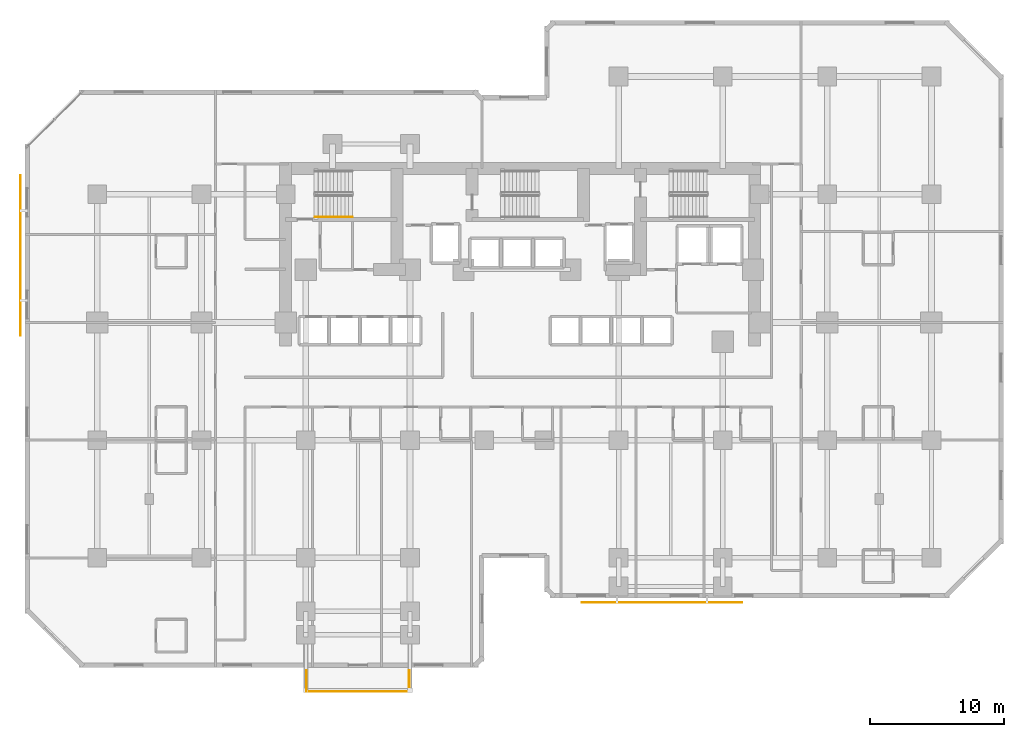
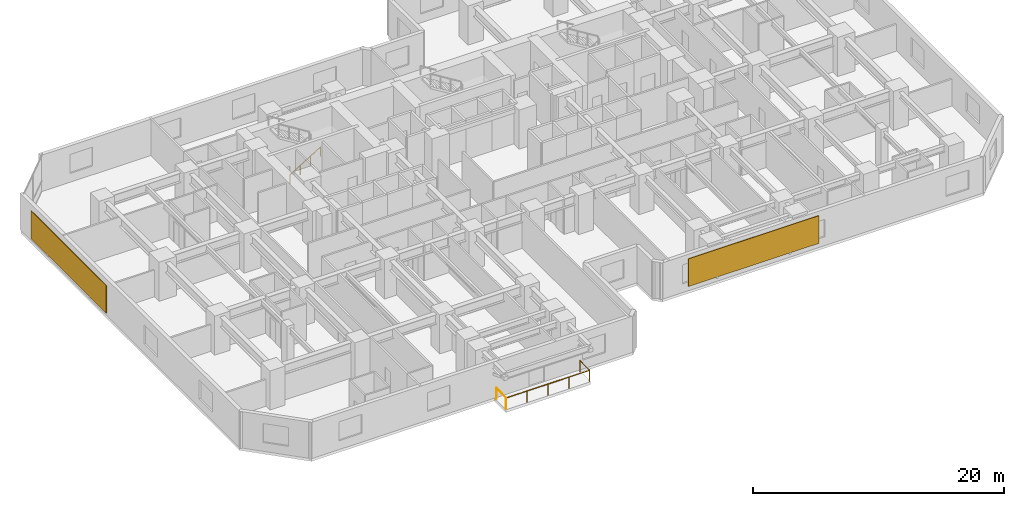
# One storey, part 11 of 12: 3 railings, 2 shading devices.
"""IFC4 building model written with IfcOpenShell, lengths in metres."""

from ifc_helpers import new_model, si_unit, direction, frame, origin, origin_2d, place, context, subcontext, project, spatial, rectangle, circle, extrude, material, layer, layer_set, type_object, element, save


model = new_model("IFC4")

# Units and contexts
model_context = context("Model", 3, precision=1e-05, world=origin(), true_north=direction((0.0, 1.0)))
body_context = subcontext(model_context, "Body", "Model", "MODEL_VIEW")
ifc_project = project(units=[si_unit("LENGTHUNIT", "METRE"), si_unit("AREAUNIT", "SQUARE_METRE"), si_unit("VOLUMEUNIT", "CUBIC_METRE"), si_unit("PLANEANGLEUNIT", "RADIAN"), si_unit("MASSUNIT", "GRAM", prefix="KILO")], contexts=[model_context])

# Site, building, storey
site_placement = place(None, origin())
site = spatial("IfcSite", under=ifc_project, at=site_placement, CompositionType="ELEMENT")
building_placement = place(site_placement, origin())
building = spatial("IfcBuilding", under=site, at=building_placement, Name="Kestravale Grand Hotel", CompositionType="ELEMENT")
storey_placement = place(building_placement, frame((0.0, 0.0, 33.60009765625)))
storey = spatial("IfcBuildingStorey", under=building, at=storey_placement, Name="L07", CompositionType="ELEMENT", Elevation=33.60009765625)

# Railings
ifc_material_1 = material(Name="Champagne-bronze stainless steel and laminated glass guard", Category="steel")
railing_type_1 = type_object("IfcRailingType", Name="RL-EXT-1100", PredefinedType="GUARDRAIL", material=ifc_material_1)
railing_1_placement = place(storey_placement, frame((23.4599609375, 1.2099609375, 0.0)))
element("IfcRailing", 1, at=railing_1_placement, inside=storey, type_object=railing_type_1, Name="L07 outdoor terrace guard 1", PredefinedType="GUARDRAIL", context=body_context, shape_type="SweptSolid", body=[
    extrude(circle(Radius=0.02392578125, at=origin_2d()), frame((0.0, 0.0, 1.09619140625), z_axis=(0.0, 1.0, 0.0), x_axis=(-1.0, 0.0, 0.0)), (0.0, 0.0, 1.0), 1.570068359375),
    extrude(circle(Radius=0.02099609375, at=origin_2d()), origin(), (0.0, 0.0, 1.0), 1.072021484375),
    extrude(circle(Radius=0.02099609375, at=origin_2d()), frame((0.0, 1.570068359375, 0.0)), (0.0, 0.0, 1.0), 1.072021484375),
])
railing_2_placement = place(storey_placement, frame((31.139892578125, 2.780029296875, 0.0)))
element("IfcRailing", 2, at=railing_2_placement, inside=storey, type_object=railing_type_1, Name="L07 outdoor terrace guard 2", PredefinedType="GUARDRAIL", context=body_context, shape_type="SweptSolid", body=[
    extrude(circle(Radius=0.02392578125, at=origin_2d()), frame((0.0, 0.0, 1.09619140625), z_axis=(0.0, -1.0, 0.0), x_axis=(1.0, 0.0, 0.0)), (0.0, 0.0, 1.0), 1.570068359375),
    extrude(circle(Radius=0.02392578125, at=origin_2d()), frame((0.0, -1.570068359375, 1.09619140625), z_axis=(-1.0, 0.0, 0.0), x_axis=(0.0, -1.0, 0.0)), (0.0, 0.0, 1.0), 7.679931640625),
    extrude(circle(Radius=0.02099609375, at=origin_2d()), origin(), (0.0, 0.0, 1.0), 1.072021484375),
    extrude(circle(Radius=0.02099609375, at=origin_2d()), frame((0.0, -1.570068359375, 0.0)), (0.0, 0.0, 1.0), 1.072021484375),
    extrude(circle(Radius=0.02099609375, at=origin_2d()), frame((-1.919921875, -1.570068359375, 0.0)), (0.0, 0.0, 1.0), 1.072021484375),
    extrude(circle(Radius=0.02099609375, at=origin_2d()), frame((-3.83984375, -1.570068359375, 0.0)), (0.0, 0.0, 1.0), 1.072021484375),
    extrude(circle(Radius=0.02099609375, at=origin_2d()), frame((-5.760009765625, -1.570068359375, 0.0)), (0.0, 0.0, 1.0), 1.072021484375),
    extrude(circle(Radius=0.02099609375, at=origin_2d()), frame((-7.679931640625, -1.570068359375, 0.0)), (0.0, 0.0, 1.0), 1.072021484375),
])
ifc_material_2 = material(Name="Brushed stainless steel wall handrail", Category="steel")
railing_type_2 = type_object("IfcRailingType", Name="RL-ST-HND900", PredefinedType="HANDRAIL", material=ifc_material_2)
railing_3_placement = place(storey_placement, frame((24.080078125, 36.699951171875, 0.172607421875)))
element("IfcRailing", 3, at=railing_3_placement, inside=storey, type_object=railing_type_2, Name="L07 ST-1 stair handrail 1", PredefinedType="HANDRAIL", context=body_context, shape_type="SweptSolid", body=[
    extrude(circle(Radius=0.02392578125, at=origin_2d()), frame((0.0, 0.0, 0.8759765625), z_axis=(0.851069175582, 0.0, 0.525053576669), x_axis=(0.0, 1.0, 0.0)), (0.0, 0.0, 1.0), 3.289794921875),
    extrude(circle(Radius=0.02099609375, at=origin_2d()), origin(), (0.0, 0.0, 1.0), 0.851806640625),
    extrude(circle(Radius=0.02099609375, at=origin_2d()), frame((0.933349609375, 0.0, 0.57568359375)), (0.0, 0.0, 1.0), 0.851806640625),
    extrude(circle(Radius=0.02099609375, at=origin_2d()), frame((1.866455078125, 0.0, 1.151611328125)), (0.0, 0.0, 1.0), 0.851806640625),
    extrude(circle(Radius=0.02099609375, at=origin_2d()), frame((2.7998046875, 0.0, 1.727294921875)), (0.0, 0.0, 1.0), 0.851806640625),
])

# Shading devices
ifc_material_3 = material(Name="Perforated champagne-bronze aluminium and ceramic solar screen", Category="aluminium")
ifc_layer = layer(ifc_material_3, 0.06494140625)
ifc_layer_set = layer_set([ifc_layer], Name="SHD-SCR-CHEV")
shading_device_type = type_object("IfcShadingDeviceType", Name="SHD-SCR-CHEV", PredefinedType="USERDEFINED", material=ifc_layer_set)
for number, where, z_axis, x_axis, name in (
    (4, (50.050048828125, 7.860107421875, 0.699951171875), (0.0, 0.0, 1.0), (1.0, 0.0, 0.0), "L07 Perforated bronze ceramic chevron solar screen SCR-L07-07"),
    (5, (2.06005859375, 33.800048828125, 0.699951171875), (0.0, 0.0, 1.0), (0.0, -1.0, 0.0), "L07 Perforated bronze ceramic chevron solar screen SCR-L07-19"),
):
    element("IfcShadingDevice", number, at=place(storey_placement, frame(where, z_axis=z_axis, x_axis=x_axis)), inside=storey, type_object=shading_device_type, Name=name, ObjectType="SCREEN", PredefinedType="USERDEFINED", context=body_context, shape_type="SweptSolid", body=[
        extrude(rectangle(XDim=12.0, YDim=0.06494140625, at=origin_2d()), origin(), (0.0, 0.0, 1.0), 2.68994140625),
    ])

save(model, "model.ifc")
